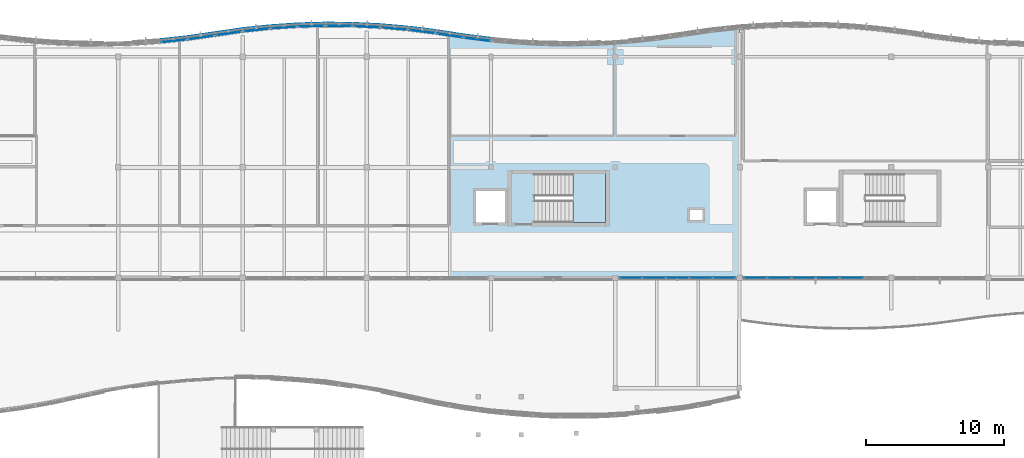
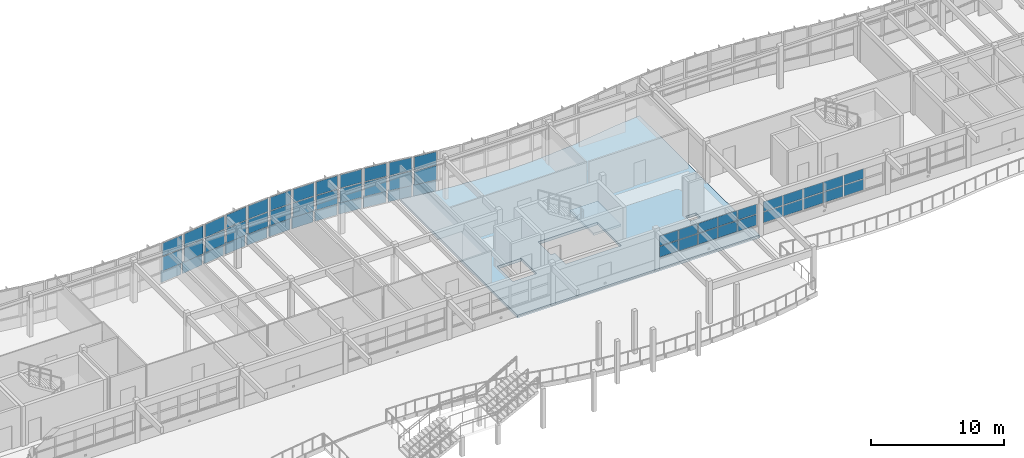
# One storey, part 33 of 63: 56 plates, 2 slabs, 15 elements without a shape of their own.
"""IFC4 building model written with IfcOpenShell, lengths in metres."""

import ifcopenshell
import ifcopenshell.guid

model = None  # the IFC model being written
_history = None  # IfcOwnerHistory: only IFC2X3 demands one
_inside = {}  # id of a spatial element -> (the spatial element, [elements in it])
_under = {}  # id of a project, library or spatial element -> (it, [spatial elements below it])
_declared = {}  # id of a project -> (the project, [libraries it declares])
_typed = {}  # id of a type object -> (the type object, [elements of that type])
_made_of = {}  # id of a material, layer set ... -> (it, [elements and type objects made of it])


def new_model(schema):
    """Start an empty IFC model of exactly this schema.

    Asked for "IFC4X3", IfcOpenShell would pick the latest addendum, in which some entities
    have other attributes; the version numbers below select the first issue.
    IFC2X3 requires an IfcOwnerHistory on every rooted entity: one is made here for all.
    """
    global model, _history
    if schema == "IFC4X3":
        model = ifcopenshell.file(schema_version=(4, 3, 0, 0))
    else:
        model = ifcopenshell.file(schema=schema)
    _inside.clear()
    _under.clear()
    _declared.clear()
    _typed.clear()
    _made_of.clear()
    _history = None
    if model.schema == "IFC2X3":
        org = make("IfcOrganization", Name="unknown")
        user = make(
            "IfcPersonAndOrganization",
            ThePerson=make("IfcPerson", FamilyName="unknown"),
            TheOrganization=org,
        )
        app = make(
            "IfcApplication",
            ApplicationDeveloper=org,
            Version="unknown",
            ApplicationFullName="unknown",
            ApplicationIdentifier="unknown",
        )
        _history = make(
            "IfcOwnerHistory",
            OwningUser=user,
            OwningApplication=app,
            ChangeAction="ADDED",
            CreationDate=0,
        )
    return model


def make(cls, **values):
    """One entity of the class cls with the attributes given. An attribute that is None is left unset."""
    return model.create_entity(
        cls, **{name: value for name, value in values.items() if value is not None}
    )


def rooted(cls, **values):
    """An entity with a GlobalId (a new one), such as an element, a storey or a relation."""
    return make(cls, GlobalId=ifcopenshell.guid.new(), OwnerHistory=_history, **values)


def si_unit(unit_type, name, prefix=None):
    """IfcSIUnit, for example si_unit("LENGTHUNIT", "METRE", prefix="MILLI")."""
    return make("IfcSIUnit", UnitType=unit_type, Prefix=prefix, Name=name)


def assignment(units):
    """IfcUnitAssignment: the units of a project."""
    return None if units is None else make("IfcUnitAssignment", Units=units)


def point(xyz):
    """IfcCartesianPoint."""
    return None if xyz is None else make("IfcCartesianPoint", Coordinates=xyz)


def direction(xyz):
    """IfcDirection."""
    return None if xyz is None else make("IfcDirection", DirectionRatios=xyz)


def frame(location, z_axis=None, x_axis=None):
    """IfcAxis2Placement3D, a coordinate frame: its origin and axes. An axis left out is left unset."""
    return make(
        "IfcAxis2Placement3D",
        Location=point(location),
        Axis=direction(z_axis),
        RefDirection=direction(x_axis),
    )


def frame_2d(location, x_axis=None):
    """IfcAxis2Placement2D, a coordinate frame in the plane: its origin and x axis."""
    return make(
        "IfcAxis2Placement2D", Location=point(location), RefDirection=direction(x_axis)
    )


def origin():
    """The frame at (0, 0, 0) with its axes left unset."""
    return frame((0.0, 0.0, 0.0))


def origin_2d():
    """The frame at (0, 0) in the plane with its x axis left unset."""
    return frame_2d((0.0, 0.0))


def place(relative_to, where):
    """IfcLocalPlacement: puts the frame where relative to a parent placement (None: the world)."""
    return make(
        "IfcLocalPlacement", PlacementRelTo=relative_to, RelativePlacement=where
    )


def context(
    kind, dimensions, precision=None, world=None, true_north=None, identifier=None
):
    """IfcGeometricRepresentationContext, for example the 3D "Model" context."""
    return make(
        "IfcGeometricRepresentationContext",
        ContextIdentifier=identifier,
        ContextType=kind,
        CoordinateSpaceDimension=dimensions,
        Precision=precision,
        WorldCoordinateSystem=world,
        TrueNorth=true_north,
    )


def subcontext(parent, identifier, kind, view, scale=None):
    """IfcGeometricRepresentationSubContext, for example "Body" below "Model"."""
    return make(
        "IfcGeometricRepresentationSubContext",
        ContextIdentifier=identifier,
        ContextType=kind,
        ParentContext=parent,
        TargetScale=scale,
        TargetView=view,
    )


def project(units=None, contexts=None):
    """IfcProject with its units and contexts."""
    return rooted(
        "IfcProject",
        Name="project",
        RepresentationContexts=contexts,
        UnitsInContext=assignment(units),
    )


def spatial(cls, under=None, at=None, **own):
    """A site, building, storey or space (cls), placed at a placement, below another one or the project."""
    s = rooted(cls, ObjectPlacement=at, **own)
    if under is not None:
        _under.setdefault(under.id(), (under, []))[1].append(s)
    return s


def polyline(points):
    """IfcPolyline through the points."""
    return make("IfcPolyline", Points=[point(p) for p in points])


def profile(cls, at=None, kind="AREA", **sizes):
    """A parametric profile (cls). Its sizes go by their IFC names, for example OverallWidth=200.0."""
    return make(cls, ProfileType=kind, Position=at, **sizes)


def rectangle(**sizes):
    """IfcRectangleProfileDef."""
    return profile("IfcRectangleProfileDef", **sizes)


def outline(outer, holes=None, kind="AREA"):
    """IfcArbitraryClosedProfileDef: a profile drawn as a closed curve; with holes, ...WithVoids."""
    if holes is None:
        return make("IfcArbitraryClosedProfileDef", ProfileType=kind, OuterCurve=outer)
    return make(
        "IfcArbitraryProfileDefWithVoids",
        ProfileType=kind,
        OuterCurve=outer,
        InnerCurves=holes,
    )


def extrude(swept, where, along, depth):
    """IfcExtrudedAreaSolid: the profile swept, set in the frame where, extruded along a direction by depth."""
    return make(
        "IfcExtrudedAreaSolid",
        SweptArea=swept,
        Position=where,
        ExtrudedDirection=direction(along),
        Depth=depth,
    )


def shape(context_of_items, identifier, shape_type, items):
    """IfcShapeRepresentation: the items that make up one representation, for example the "Body"."""
    return make(
        "IfcShapeRepresentation",
        ContextOfItems=context_of_items,
        RepresentationIdentifier=identifier,
        RepresentationType=shape_type,
        Items=items,
    )


def material(Name=None, Category=None):
    """IfcMaterial."""
    return make("IfcMaterial", Name=Name, Category=Category)


def layer(
    of_material, thickness, ventilated=None, Name=None, Category=None, Priority=None
):
    """IfcMaterialLayer: one layer of a wall or slab, of a material (None: an air gap)."""
    return make(
        "IfcMaterialLayer",
        Material=of_material,
        LayerThickness=thickness,
        IsVentilated=ventilated,
        Name=Name,
        Category=Category,
        Priority=Priority,
    )


def layer_set(layers, Name=None):
    """IfcMaterialLayerSet."""
    return make("IfcMaterialLayerSet", MaterialLayers=layers, LayerSetName=Name)


def made_of(thing, what):
    """Note that an element or type object is made of a material, layer set ...; save() writes the relation."""
    if what is not None:
        _made_of.setdefault(what.id(), (what, []))[1].append(thing)
    return thing


def type_object(cls, material=None, **own):
    """A type object (cls), such as IfcWallType, which elements share."""
    return made_of(rooted(cls, **own), material)


def element(
    cls,
    number,
    at=None,
    inside=None,
    cuts=None,
    type_object=None,
    material=None,
    context=None,
    identifier="Body",
    shape_type=None,
    held_by="IfcProductDefinitionShape",
    body=None,
    shapes=None,
    **own,
):
    """One element of the class cls, such as IfcWall. Its Tag is "e" and its number.

    at: its placement. inside: the storey or other place that contains it. cuts: it is an
    opening in that element (IfcRelVoidsElement). A single representation is given by context,
    identifier, shape_type and body (its items); several are given by shapes. held_by: the class
    of the entity that holds the representations. save() writes the other relations.
    """
    e = rooted(cls, Tag="e%d" % number, ObjectPlacement=at, **own)
    if body is not None:
        shapes = [shape(context, identifier, shape_type, body)]
    if shapes is not None:
        e.Representation = make(held_by, Representations=shapes)
    if inside is not None:
        _inside.setdefault(inside.id(), (inside, []))[1].append(e)
    if cuts is not None:
        rooted(
            "IfcRelVoidsElement", RelatingBuildingElement=cuts, RelatedOpeningElement=e
        )
    if type_object is not None:
        _typed.setdefault(type_object.id(), (type_object, []))[1].append(e)
    return made_of(e, material)


def aggregate(whole, parts):
    """IfcRelAggregates: a whole, such as a stair, and the parts it consists of."""
    return rooted("IfcRelAggregates", RelatingObject=whole, RelatedObjects=parts)


def save(model, path):
    """Write the relations noted so far, then the file.

    IfcRelAggregates (storeys below a building ...), IfcRelContainedInSpatialStructure (elements
    in a storey), IfcRelDefinesByType, IfcRelAssociatesMaterial and IfcRelDeclares: one each for
    every whole, place, type object, material and project.
    """
    for whole, parts in _under.values():
        aggregate(whole, parts)
    for where, things in _inside.values():
        rooted(
            "IfcRelContainedInSpatialStructure",
            RelatedElements=things,
            RelatingStructure=where,
        )
    for kind, things in _typed.values():
        rooted("IfcRelDefinesByType", RelatedObjects=things, RelatingType=kind)
    for what, things in _made_of.values():
        rooted("IfcRelAssociatesMaterial", RelatedObjects=things, RelatingMaterial=what)
    for by, libraries in _declared.values():
        rooted("IfcRelDeclares", RelatingContext=by, RelatedDefinitions=libraries)
    model.write(path)


model = new_model("IFC4")

# Units and contexts
model_context = context("Model", 3, precision=1e-05, world=origin(), true_north=direction((0.0, 1.0)))
body_context = subcontext(model_context, "Body", "Model", "MODEL_VIEW")
ifc_project = project(units=[si_unit("LENGTHUNIT", "METRE"), si_unit("AREAUNIT", "SQUARE_METRE"), si_unit("VOLUMEUNIT", "CUBIC_METRE"), si_unit("PLANEANGLEUNIT", "RADIAN"), si_unit("MASSUNIT", "GRAM", prefix="KILO")], contexts=[model_context])

# Site, building, storey
site_placement = place(None, origin())
site = spatial("IfcSite", under=ifc_project, at=site_placement, CompositionType="ELEMENT")
building_placement = place(site_placement, origin())
building = spatial("IfcBuilding", under=site, at=building_placement, Name="Tonlespit Floodbar School", CompositionType="ELEMENT")
storey_placement = place(building_placement, frame((0.0, 0.0, 8.39990234375)))
storey = spatial("IfcBuildingStorey", under=building, at=storey_placement, Name="L02", CompositionType="ELEMENT", Elevation=8.39990234375)

# Curtain wall, plates
ifc_material_1 = material(Name="Anodised Aluminium", Category="aluminium")
ifc_layer_1 = layer(ifc_material_1, 0.159912109375)
ifc_layer_set_1 = layer_set([ifc_layer_1], Name="Anodised Aluminium")
curtain_wall_type_1 = type_object("IfcCurtainWallType", Name="CurtainWall_1950x2700", PredefinedType="NOTDEFINED", material=ifc_layer_set_1)
curtain_wall_1_placement = place(storey_placement, origin())
curtain_wall_1 = element("IfcCurtainWall", 1, at=curtain_wall_1_placement, inside=storey, type_object=curtain_wall_type_1, Name="L02 unitised curtain wall 0097", PredefinedType="NOTDEFINED")
ifc_material_2 = material(Name="Laminated Low-E Glass", Category="glass")
ifc_layer_2 = layer(ifc_material_2, 0.028076171875)
ifc_layer_set_2 = layer_set([ifc_layer_2], Name="Laminated Low-E Glass")
plate_type_1 = type_object("IfcPlateType", Name="CW_Panel_Glaz_28", PredefinedType="CURTAIN_PANEL", material=ifc_layer_set_2)
plate_1_placement = place(storey_placement, frame((75.0, 121.152099609375, 1.01513671875), z_axis=(0.0, 0.0, 1.0), x_axis=(0.994388797288, 0.105787143968, 0.0)))
plate_1 = element("IfcPlate", 2, at=plate_1_placement, type_object=plate_type_1, Name="CW-04 panel 1.1", PredefinedType="CURTAIN_PANEL", context=body_context, shape_type="SweptSolid", body=[
    extrude(rectangle(XDim=1.80126953125, YDim=0.028076171875, at=origin_2d()), origin(), (0.0, 0.0, 1.0), 1.306396484375),
])
plate_2_placement = place(storey_placement, frame((75.0, 121.152099609375, 2.38671875), z_axis=(0.0, 0.0, 1.0), x_axis=(0.994388797288, 0.105787143968, 0.0)))
plate_2 = element("IfcPlate", 3, at=plate_2_placement, type_object=plate_type_1, Name="CW-04 panel 1.2", PredefinedType="CURTAIN_PANEL", context=body_context, shape_type="SweptSolid", body=[
    extrude(rectangle(XDim=1.80126953125, YDim=0.028076171875, at=origin_2d()), origin(), (0.0, 0.0, 1.0), 1.198486328125),
])
aggregate(curtain_wall_1, [plate_1, plate_2])

ifc_layer_3 = layer(ifc_material_1, 0.159912109375)
ifc_layer_set_3 = layer_set([ifc_layer_3], Name="Anodised Aluminium")
curtain_wall_type_2 = type_object("IfcCurtainWallType", Name="CurtainWall_1900x2700", PredefinedType="NOTDEFINED", material=ifc_layer_set_3)
curtain_wall_2_placement = place(storey_placement, origin())
curtain_wall_2 = element("IfcCurtainWall", 4, at=curtain_wall_2_placement, inside=storey, type_object=curtain_wall_type_2, Name="L02 unitised curtain wall 0101", PredefinedType="NOTDEFINED")
plate_3_placement = place(storey_placement, frame((83.0, 122.121826171875, 1.01513671875), z_axis=(0.0, 0.0, 1.0), x_axis=(0.99773010165, 0.067339767311, 0.0)))
plate_3 = element("IfcPlate", 5, at=plate_3_placement, type_object=plate_type_1, Name="CW-05 panel 1.1", PredefinedType="CURTAIN_PANEL", context=body_context, shape_type="SweptSolid", body=[
    extrude(rectangle(XDim=1.794677734375, YDim=0.028076171875, at=origin_2d()), origin(), (0.0, 0.0, 1.0), 1.306396484375),
])
plate_4_placement = place(storey_placement, frame((83.0, 122.121826171875, 2.38671875), z_axis=(0.0, 0.0, 1.0), x_axis=(0.99773010165, 0.067339767311, 0.0)))
plate_4 = element("IfcPlate", 6, at=plate_4_placement, type_object=plate_type_1, Name="CW-05 panel 1.2", PredefinedType="CURTAIN_PANEL", context=body_context, shape_type="SweptSolid", body=[
    extrude(rectangle(XDim=1.794677734375, YDim=0.028076171875, at=origin_2d()), origin(), (0.0, 0.0, 1.0), 1.198486328125),
])
aggregate(curtain_wall_2, [plate_3, plate_4])

curtain_wall_3_placement = place(storey_placement, origin())
curtain_wall_3 = element("IfcCurtainWall", 7, at=curtain_wall_3_placement, inside=storey, type_object=curtain_wall_type_1, Name="L02 unitised curtain wall 0105", PredefinedType="NOTDEFINED")
plate_5_placement = place(storey_placement, frame((91.0, 122.044677734375, 1.01513671875), z_axis=(0.0, 0.0, 1.0), x_axis=(0.996249148412, -0.086531117454, 0.0)))
plate_5 = element("IfcPlate", 8, at=plate_5_placement, type_object=plate_type_1, Name="CW-04 panel 1.1", PredefinedType="CURTAIN_PANEL", context=body_context, shape_type="SweptSolid", body=[
    extrude(rectangle(XDim=1.797607421875, YDim=0.028076171875, at=origin_2d()), origin(), (0.0, 0.0, 1.0), 1.306396484375),
])
plate_6_placement = place(storey_placement, frame((91.0, 122.044677734375, 2.38671875), z_axis=(0.0, 0.0, 1.0), x_axis=(0.996249148412, -0.086531117454, 0.0)))
plate_6 = element("IfcPlate", 9, at=plate_6_placement, type_object=plate_type_1, Name="CW-04 panel 1.2", PredefinedType="CURTAIN_PANEL", context=body_context, shape_type="SweptSolid", body=[
    extrude(rectangle(XDim=1.797607421875, YDim=0.028076171875, at=origin_2d()), origin(), (0.0, 0.0, 1.0), 1.198486328125),
])
aggregate(curtain_wall_3, [plate_5, plate_6])

ifc_layer_4 = layer(ifc_material_1, 0.159912109375)
ifc_layer_set_4 = layer_set([ifc_layer_4], Name="Anodised Aluminium")
curtain_wall_type_3 = type_object("IfcCurtainWallType", Name="CurtainWall_10500x2050", PredefinedType="NOTDEFINED", material=ifc_layer_set_4)
curtain_wall_4_placement = place(storey_placement, origin())
curtain_wall_4 = element("IfcCurtainWall", 10, at=curtain_wall_4_placement, inside=storey, type_object=curtain_wall_type_3, Name="L02 unitised curtain wall 0445", PredefinedType="NOTDEFINED")
plate_7_placement = place(storey_placement, frame((124.1298828125, 104.0, 1.01513671875), z_axis=(0.0, 0.0, 1.0), x_axis=(-1.0, 0.0, 0.0)))
plate_7 = element("IfcPlate", 11, at=plate_7_placement, type_object=plate_type_1, Name="CW-68 panel 2.1", PredefinedType="CURTAIN_PANEL", context=body_context, shape_type="SweptSolid", body=[
    extrude(rectangle(XDim=1.688232421875, YDim=0.028076171875, at=origin_2d()), origin(), (0.0, 0.0, 1.0), 0.97119140625),
])
plate_8_placement = place(storey_placement, frame((124.1298828125, 104.0, 2.05126953125), z_axis=(0.0, 0.0, 1.0), x_axis=(-1.0, 0.0, 0.0)))
plate_8 = element("IfcPlate", 12, at=plate_8_placement, type_object=plate_type_1, Name="CW-68 panel 2.2", PredefinedType="CURTAIN_PANEL", context=body_context, shape_type="SweptSolid", body=[
    extrude(rectangle(XDim=1.688232421875, YDim=0.028076171875, at=origin_2d()), origin(), (0.0, 0.0, 1.0), 0.888916015625),
])
plate_9_placement = place(storey_placement, frame((122.376708984375, 104.0, 1.01513671875), z_axis=(0.0, 0.0, 1.0), x_axis=(-1.0, 0.0, 0.0)))
plate_9 = element("IfcPlate", 13, at=plate_9_placement, type_object=plate_type_1, Name="CW-68 panel 3.1", PredefinedType="CURTAIN_PANEL", context=body_context, shape_type="SweptSolid", body=[
    extrude(rectangle(XDim=1.688232421875, YDim=0.028076171875, at=origin_2d()), origin(), (0.0, 0.0, 1.0), 0.97119140625),
])
plate_10_placement = place(storey_placement, frame((122.376708984375, 104.0, 2.05126953125), z_axis=(0.0, 0.0, 1.0), x_axis=(-1.0, 0.0, 0.0)))
plate_10 = element("IfcPlate", 14, at=plate_10_placement, type_object=plate_type_1, Name="CW-68 panel 3.2", PredefinedType="CURTAIN_PANEL", context=body_context, shape_type="SweptSolid", body=[
    extrude(rectangle(XDim=1.688232421875, YDim=0.028076171875, at=origin_2d()), origin(), (0.0, 0.0, 1.0), 0.888916015625),
])
plate_11_placement = place(storey_placement, frame((120.623291015625, 104.0, 1.01513671875), z_axis=(0.0, 0.0, 1.0), x_axis=(-1.0, 0.0, 0.0)))
plate_11 = element("IfcPlate", 15, at=plate_11_placement, type_object=plate_type_1, Name="CW-68 panel 4.1", PredefinedType="CURTAIN_PANEL", context=body_context, shape_type="SweptSolid", body=[
    extrude(rectangle(XDim=1.688232421875, YDim=0.028076171875, at=origin_2d()), origin(), (0.0, 0.0, 1.0), 0.97119140625),
])
plate_12_placement = place(storey_placement, frame((120.623291015625, 104.0, 2.05126953125), z_axis=(0.0, 0.0, 1.0), x_axis=(-1.0, 0.0, 0.0)))
plate_12 = element("IfcPlate", 16, at=plate_12_placement, type_object=plate_type_1, Name="CW-68 panel 4.2", PredefinedType="CURTAIN_PANEL", context=body_context, shape_type="SweptSolid", body=[
    extrude(rectangle(XDim=1.688232421875, YDim=0.028076171875, at=origin_2d()), origin(), (0.0, 0.0, 1.0), 0.888916015625),
])
plate_13_placement = place(storey_placement, frame((118.8701171875, 104.0, 1.01513671875), z_axis=(0.0, 0.0, 1.0), x_axis=(-1.0, 0.0, 0.0)))
plate_13 = element("IfcPlate", 17, at=plate_13_placement, type_object=plate_type_1, Name="CW-68 panel 5.1", PredefinedType="CURTAIN_PANEL", context=body_context, shape_type="SweptSolid", body=[
    extrude(rectangle(XDim=1.688232421875, YDim=0.028076171875, at=origin_2d()), origin(), (0.0, 0.0, 1.0), 0.97119140625),
])
plate_14_placement = place(storey_placement, frame((118.8701171875, 104.0, 2.05126953125), z_axis=(0.0, 0.0, 1.0), x_axis=(-1.0, 0.0, 0.0)))
plate_14 = element("IfcPlate", 18, at=plate_14_placement, type_object=plate_type_1, Name="CW-68 panel 5.2", PredefinedType="CURTAIN_PANEL", context=body_context, shape_type="SweptSolid", body=[
    extrude(rectangle(XDim=1.688232421875, YDim=0.028076171875, at=origin_2d()), origin(), (0.0, 0.0, 1.0), 0.888916015625),
])
plate_15_placement = place(storey_placement, frame((117.1328125, 104.0, 1.01513671875), z_axis=(0.0, 0.0, 1.0), x_axis=(-1.0, 0.0, 0.0)))
plate_15 = element("IfcPlate", 19, at=plate_15_placement, type_object=plate_type_1, Name="CW-68 panel 6.1", PredefinedType="CURTAIN_PANEL", context=body_context, shape_type="SweptSolid", body=[
    extrude(rectangle(XDim=1.65576171875, YDim=0.028076171875, at=origin_2d()), origin(), (0.0, 0.0, 1.0), 0.97119140625),
])
plate_16_placement = place(storey_placement, frame((117.1328125, 104.0, 2.05126953125), z_axis=(0.0, 0.0, 1.0), x_axis=(-1.0, 0.0, 0.0)))
plate_16 = element("IfcPlate", 20, at=plate_16_placement, type_object=plate_type_1, Name="CW-68 panel 6.2", PredefinedType="CURTAIN_PANEL", context=body_context, shape_type="SweptSolid", body=[
    extrude(rectangle(XDim=1.65576171875, YDim=0.028076171875, at=origin_2d()), origin(), (0.0, 0.0, 1.0), 0.888916015625),
])
aggregate(curtain_wall_4, [plate_7, plate_8, plate_9, plate_10, plate_11, plate_12, plate_13, plate_14, plate_15, plate_16])

curtain_wall_5_placement = place(storey_placement, origin())
curtain_wall_5 = element("IfcCurtainWall", 21, at=curtain_wall_5_placement, inside=storey, type_object=curtain_wall_type_1, Name="L02 unitised curtain wall 0098", PredefinedType="NOTDEFINED")
ifc_layer_5 = layer(ifc_material_2, 0.031982421875)
ifc_layer_set_5 = layer_set([ifc_layer_5], Name="Laminated Low-E Glass")
plate_type_2 = type_object("IfcPlateType", Name="CW_Panel_Glaz_32", PredefinedType="CURTAIN_PANEL", material=ifc_layer_set_5)
plate_17_placement = place(storey_placement, frame((77.0, 121.404296875, 1.01513671875), z_axis=(0.0, 0.0, 1.0), x_axis=(0.989541561858, 0.144248041079, 0.0)))
plate_17 = element("IfcPlate", 22, at=plate_17_placement, type_object=plate_type_2, Name="CW-04 panel 1.1", PredefinedType="CURTAIN_PANEL", context=body_context, shape_type="SweptSolid", body=[
    extrude(rectangle(XDim=1.81103515625, YDim=0.031982421875, at=origin_2d()), origin(), (0.0, 0.0, 1.0), 1.306396484375),
])
plate_18_placement = place(storey_placement, frame((77.0, 121.404296875, 2.38671875), z_axis=(0.0, 0.0, 1.0), x_axis=(0.989541561858, 0.144248041079, 0.0)))
plate_18 = element("IfcPlate", 23, at=plate_18_placement, type_object=plate_type_2, Name="CW-04 panel 1.2", PredefinedType="CURTAIN_PANEL", context=body_context, shape_type="SweptSolid", body=[
    extrude(rectangle(XDim=1.81103515625, YDim=0.031982421875, at=origin_2d()), origin(), (0.0, 0.0, 1.0), 1.198486328125),
])
aggregate(curtain_wall_5, [plate_17, plate_18])

curtain_wall_6_placement = place(storey_placement, origin())
curtain_wall_6 = element("IfcCurtainWall", 24, at=curtain_wall_6_placement, inside=storey, type_object=curtain_wall_type_2, Name="L02 unitised curtain wall 0102", PredefinedType="NOTDEFINED")
plate_19_placement = place(storey_placement, frame((85.0, 122.21826171875, 1.01513671875), z_axis=(0.0, 0.0, 1.0), x_axis=(0.999585477883, 0.028790144226, 0.0)))
plate_19 = element("IfcPlate", 25, at=plate_19_placement, type_object=plate_type_2, Name="CW-05 panel 1.1", PredefinedType="CURTAIN_PANEL", context=body_context, shape_type="SweptSolid", body=[
    extrude(rectangle(XDim=1.790771484375, YDim=0.031982421875, at=origin_2d()), origin(), (0.0, 0.0, 1.0), 1.306396484375),
])
plate_20_placement = place(storey_placement, frame((85.0, 122.21826171875, 2.38671875), z_axis=(0.0, 0.0, 1.0), x_axis=(0.999585477883, 0.028790144226, 0.0)))
plate_20 = element("IfcPlate", 26, at=plate_20_placement, type_object=plate_type_2, Name="CW-05 panel 1.2", PredefinedType="CURTAIN_PANEL", context=body_context, shape_type="SweptSolid", body=[
    extrude(rectangle(XDim=1.790771484375, YDim=0.031982421875, at=origin_2d()), origin(), (0.0, 0.0, 1.0), 1.198486328125),
])
aggregate(curtain_wall_6, [plate_19, plate_20])

curtain_wall_7_placement = place(storey_placement, origin())
curtain_wall_7 = element("IfcCurtainWall", 27, at=curtain_wall_7_placement, inside=storey, type_object=curtain_wall_type_1, Name="L02 unitised curtain wall 0106", PredefinedType="NOTDEFINED")
plate_21_placement = place(storey_placement, frame((93.0, 121.831787109375, 1.01513671875), z_axis=(0.0, 0.0, 1.0), x_axis=(0.992155002499, -0.125013803299, 0.0)))
plate_21 = element("IfcPlate", 28, at=plate_21_placement, type_object=plate_type_2, Name="CW-04 panel 1.1", PredefinedType="CURTAIN_PANEL", context=body_context, shape_type="SweptSolid", body=[
    extrude(rectangle(XDim=1.805908203125, YDim=0.031982421875, at=origin_2d()), origin(), (0.0, 0.0, 1.0), 1.306396484375),
])
plate_22_placement = place(storey_placement, frame((93.0, 121.831787109375, 2.38671875), z_axis=(0.0, 0.0, 1.0), x_axis=(0.992155002499, -0.125013803299, 0.0)))
plate_22 = element("IfcPlate", 29, at=plate_22_placement, type_object=plate_type_2, Name="CW-04 panel 1.2", PredefinedType="CURTAIN_PANEL", context=body_context, shape_type="SweptSolid", body=[
    extrude(rectangle(XDim=1.805908203125, YDim=0.031982421875, at=origin_2d()), origin(), (0.0, 0.0, 1.0), 1.198486328125),
])
aggregate(curtain_wall_7, [plate_21, plate_22])

ifc_layer_6 = layer(ifc_material_1, 0.159912109375)
ifc_layer_set_6 = layer_set([ifc_layer_6], Name="Anodised Aluminium")
curtain_wall_type_4 = type_object("IfcCurtainWallType", Name="CurtainWall_8500x2050", PredefinedType="NOTDEFINED", material=ifc_layer_set_6)
curtain_wall_8_placement = place(storey_placement, origin())
curtain_wall_8 = element("IfcCurtainWall", 30, at=curtain_wall_8_placement, inside=storey, type_object=curtain_wall_type_4, Name="L02 unitised curtain wall 0118", PredefinedType="NOTDEFINED")
plate_23_placement = place(storey_placement, frame((114.891845703125, 104.0, 1.01513671875), z_axis=(0.0, 0.0, 1.0), x_axis=(-1.0, 0.0, 0.0)))
plate_23 = element("IfcPlate", 31, at=plate_23_placement, type_object=plate_type_2, Name="CW-07 panel 1.1", PredefinedType="CURTAIN_PANEL", context=body_context, shape_type="SweptSolid", body=[
    extrude(rectangle(XDim=1.6064453125, YDim=0.031982421875, at=origin_2d()), origin(), (0.0, 0.0, 1.0), 0.97265625),
])
plate_24_placement = place(storey_placement, frame((114.891845703125, 104.0, 2.052734375), z_axis=(0.0, 0.0, 1.0), x_axis=(-1.0, 0.0, 0.0)))
plate_24 = element("IfcPlate", 32, at=plate_24_placement, type_object=plate_type_2, Name="CW-07 panel 1.2", PredefinedType="CURTAIN_PANEL", context=body_context, shape_type="SweptSolid", body=[
    extrude(rectangle(XDim=1.6064453125, YDim=0.031982421875, at=origin_2d()), origin(), (0.0, 0.0, 1.0), 0.890380859375),
])
plate_25_placement = place(storey_placement, frame((113.2041015625, 104.0, 1.01513671875), z_axis=(0.0, 0.0, 1.0), x_axis=(-1.0, 0.0, 0.0)))
plate_25 = element("IfcPlate", 33, at=plate_25_placement, type_object=plate_type_2, Name="CW-07 panel 2.1", PredefinedType="CURTAIN_PANEL", context=body_context, shape_type="SweptSolid", body=[
    extrude(rectangle(XDim=1.638916015625, YDim=0.031982421875, at=origin_2d()), origin(), (0.0, 0.0, 1.0), 0.97265625),
])
plate_26_placement = place(storey_placement, frame((113.2041015625, 104.0, 2.052734375), z_axis=(0.0, 0.0, 1.0), x_axis=(-1.0, 0.0, 0.0)))
plate_26 = element("IfcPlate", 34, at=plate_26_placement, type_object=plate_type_2, Name="CW-07 panel 2.2", PredefinedType="CURTAIN_PANEL", context=body_context, shape_type="SweptSolid", body=[
    extrude(rectangle(XDim=1.638916015625, YDim=0.031982421875, at=origin_2d()), origin(), (0.0, 0.0, 1.0), 0.890380859375),
])
plate_27_placement = place(storey_placement, frame((111.5, 104.0, 1.01513671875), z_axis=(0.0, 0.0, 1.0), x_axis=(-1.0, 0.0, 0.0)))
plate_27 = element("IfcPlate", 35, at=plate_27_placement, type_object=plate_type_2, Name="CW-07 panel 3.1", PredefinedType="CURTAIN_PANEL", context=body_context, shape_type="SweptSolid", body=[
    extrude(rectangle(XDim=1.638916015625, YDim=0.031982421875, at=origin_2d()), origin(), (0.0, 0.0, 1.0), 0.97265625),
])
plate_28_placement = place(storey_placement, frame((111.5, 104.0, 2.052734375), z_axis=(0.0, 0.0, 1.0), x_axis=(-1.0, 0.0, 0.0)))
plate_28 = element("IfcPlate", 36, at=plate_28_placement, type_object=plate_type_2, Name="CW-07 panel 3.2", PredefinedType="CURTAIN_PANEL", context=body_context, shape_type="SweptSolid", body=[
    extrude(rectangle(XDim=1.638916015625, YDim=0.031982421875, at=origin_2d()), origin(), (0.0, 0.0, 1.0), 0.890380859375),
])
plate_29_placement = place(storey_placement, frame((109.7958984375, 104.0, 1.01513671875), z_axis=(0.0, 0.0, 1.0), x_axis=(-1.0, 0.0, 0.0)))
plate_29 = element("IfcPlate", 37, at=plate_29_placement, type_object=plate_type_2, Name="CW-07 panel 4.1", PredefinedType="CURTAIN_PANEL", context=body_context, shape_type="SweptSolid", body=[
    extrude(rectangle(XDim=1.638916015625, YDim=0.031982421875, at=origin_2d()), origin(), (0.0, 0.0, 1.0), 0.97265625),
])
plate_30_placement = place(storey_placement, frame((109.7958984375, 104.0, 2.052734375), z_axis=(0.0, 0.0, 1.0), x_axis=(-1.0, 0.0, 0.0)))
plate_30 = element("IfcPlate", 38, at=plate_30_placement, type_object=plate_type_2, Name="CW-07 panel 4.2", PredefinedType="CURTAIN_PANEL", context=body_context, shape_type="SweptSolid", body=[
    extrude(rectangle(XDim=1.638916015625, YDim=0.031982421875, at=origin_2d()), origin(), (0.0, 0.0, 1.0), 0.890380859375),
])
plate_31_placement = place(storey_placement, frame((108.108154296875, 104.0, 1.01513671875), z_axis=(0.0, 0.0, 1.0), x_axis=(-1.0, 0.0, 0.0)))
plate_31 = element("IfcPlate", 39, at=plate_31_placement, type_object=plate_type_2, Name="CW-07 panel 5.1", PredefinedType="CURTAIN_PANEL", context=body_context, shape_type="SweptSolid", body=[
    extrude(rectangle(XDim=1.6064453125, YDim=0.031982421875, at=origin_2d()), origin(), (0.0, 0.0, 1.0), 0.97265625),
])
plate_32_placement = place(storey_placement, frame((108.108154296875, 104.0, 2.052734375), z_axis=(0.0, 0.0, 1.0), x_axis=(-1.0, 0.0, 0.0)))
plate_32 = element("IfcPlate", 40, at=plate_32_placement, type_object=plate_type_2, Name="CW-07 panel 5.2", PredefinedType="CURTAIN_PANEL", context=body_context, shape_type="SweptSolid", body=[
    extrude(rectangle(XDim=1.6064453125, YDim=0.031982421875, at=origin_2d()), origin(), (0.0, 0.0, 1.0), 0.890380859375),
])
aggregate(curtain_wall_8, [plate_23, plate_24, plate_25, plate_26, plate_27, plate_28, plate_29, plate_30, plate_31, plate_32])

curtain_wall_9_placement = place(storey_placement, origin())
curtain_wall_9 = element("IfcCurtainWall", 41, at=curtain_wall_9_placement, inside=storey, type_object=curtain_wall_type_1, Name="L02 unitised curtain wall 0099", PredefinedType="NOTDEFINED")
ifc_layer_7 = layer(ifc_material_2, 0.035888671875)
ifc_layer_set_7 = layer_set([ifc_layer_7], Name="Laminated Low-E Glass")
plate_type_3 = type_object("IfcPlateType", Name="CW_Panel_Glaz_36", PredefinedType="CURTAIN_PANEL", material=ifc_layer_set_7)
plate_33_placement = place(storey_placement, frame((79.0, 121.69580078125, 1.01513671875), z_axis=(0.0, 0.0, 1.0), x_axis=(0.989541561858, 0.144248041079, 0.0)))
plate_33 = element("IfcPlate", 42, at=plate_33_placement, type_object=plate_type_3, Name="CW-04 panel 1.1", PredefinedType="CURTAIN_PANEL", context=body_context, shape_type="SweptSolid", body=[
    extrude(rectangle(XDim=1.81103515625, YDim=0.035888671875, at=origin_2d()), origin(), (0.0, 0.0, 1.0), 1.306396484375),
])
plate_34_placement = place(storey_placement, frame((79.0, 121.69580078125, 2.38671875), z_axis=(0.0, 0.0, 1.0), x_axis=(0.989541561858, 0.144248041079, 0.0)))
plate_34 = element("IfcPlate", 43, at=plate_34_placement, type_object=plate_type_3, Name="CW-04 panel 1.2", PredefinedType="CURTAIN_PANEL", context=body_context, shape_type="SweptSolid", body=[
    extrude(rectangle(XDim=1.81103515625, YDim=0.035888671875, at=origin_2d()), origin(), (0.0, 0.0, 1.0), 1.198486328125),
])
aggregate(curtain_wall_9, [plate_33, plate_34])

curtain_wall_10_placement = place(storey_placement, origin())
curtain_wall_10 = element("IfcCurtainWall", 44, at=curtain_wall_10_placement, inside=storey, type_object=curtain_wall_type_2, Name="L02 unitised curtain wall 0103", PredefinedType="NOTDEFINED")
plate_35_placement = place(storey_placement, frame((87.0, 122.2373046875, 1.01513671875), z_axis=(0.0, 0.0, 1.0), x_axis=(0.999954083024, -0.009582893292, 0.0)))
plate_35 = element("IfcPlate", 45, at=plate_35_placement, type_object=plate_type_3, Name="CW-05 panel 1.1", PredefinedType="CURTAIN_PANEL", context=body_context, shape_type="SweptSolid", body=[
    extrude(rectangle(XDim=1.7900390625, YDim=0.035888671875, at=origin_2d()), origin(), (0.0, 0.0, 1.0), 1.306396484375),
])
plate_36_placement = place(storey_placement, frame((87.0, 122.2373046875, 2.38671875), z_axis=(0.0, 0.0, 1.0), x_axis=(0.999954083024, -0.009582893292, 0.0)))
plate_36 = element("IfcPlate", 46, at=plate_36_placement, type_object=plate_type_3, Name="CW-05 panel 1.2", PredefinedType="CURTAIN_PANEL", context=body_context, shape_type="SweptSolid", body=[
    extrude(rectangle(XDim=1.7900390625, YDim=0.035888671875, at=origin_2d()), origin(), (0.0, 0.0, 1.0), 1.198486328125),
])
aggregate(curtain_wall_10, [plate_35, plate_36])

curtain_wall_11_placement = place(storey_placement, origin())
curtain_wall_11 = element("IfcCurtainWall", 47, at=curtain_wall_11_placement, inside=storey, type_object=curtain_wall_type_1, Name="L02 unitised curtain wall 0107", PredefinedType="NOTDEFINED")
plate_37_placement = place(storey_placement, frame((95.0, 121.550048828125, 1.01513671875), z_axis=(0.0, 0.0, 1.0), x_axis=(0.988102576465, -0.153796288585, 0.0)))
plate_37 = element("IfcPlate", 48, at=plate_37_placement, type_object=plate_type_3, Name="CW-04 panel 1.1", PredefinedType="CURTAIN_PANEL", context=body_context, shape_type="SweptSolid", body=[
    extrude(rectangle(XDim=1.814208984375, YDim=0.035888671875, at=origin_2d()), origin(), (0.0, 0.0, 1.0), 1.306396484375),
])
plate_38_placement = place(storey_placement, frame((95.0, 121.550048828125, 2.38671875), z_axis=(0.0, 0.0, 1.0), x_axis=(0.988102576465, -0.153796288585, 0.0)))
plate_38 = element("IfcPlate", 49, at=plate_38_placement, type_object=plate_type_3, Name="CW-04 panel 1.2", PredefinedType="CURTAIN_PANEL", context=body_context, shape_type="SweptSolid", body=[
    extrude(rectangle(XDim=1.814208984375, YDim=0.035888671875, at=origin_2d()), origin(), (0.0, 0.0, 1.0), 1.198486328125),
])
aggregate(curtain_wall_11, [plate_37, plate_38])

curtain_wall_12_placement = place(storey_placement, origin())
curtain_wall_12 = element("IfcCurtainWall", 50, at=curtain_wall_12_placement, inside=storey, type_object=curtain_wall_type_1, Name="L02 unitised curtain wall 0100", PredefinedType="NOTDEFINED")
ifc_layer_8 = layer(ifc_material_2, 0.0419921875)
ifc_layer_set_8 = layer_set([ifc_layer_8], Name="Laminated Low-E Glass")
plate_type_4 = type_object("IfcPlateType", Name="CW_Panel_Glaz_42", PredefinedType="CURTAIN_PANEL", material=ifc_layer_set_8)
plate_39_placement = place(storey_placement, frame((81.0, 121.947998046875, 1.01513671875), z_axis=(0.0, 0.0, 1.0), x_axis=(0.994388797288, 0.105787143968, 0.0)))
plate_39 = element("IfcPlate", 51, at=plate_39_placement, type_object=plate_type_4, Name="CW-04 panel 1.1", PredefinedType="CURTAIN_PANEL", context=body_context, shape_type="SweptSolid", body=[
    extrude(rectangle(XDim=1.80126953125, YDim=0.0419921875, at=origin_2d()), origin(), (0.0, 0.0, 1.0), 1.306396484375),
])
plate_40_placement = place(storey_placement, frame((81.0, 121.947998046875, 2.38671875), z_axis=(0.0, 0.0, 1.0), x_axis=(0.994388797288, 0.105787143968, 0.0)))
plate_40 = element("IfcPlate", 52, at=plate_40_placement, type_object=plate_type_4, Name="CW-04 panel 1.2", PredefinedType="CURTAIN_PANEL", context=body_context, shape_type="SweptSolid", body=[
    extrude(rectangle(XDim=1.80126953125, YDim=0.0419921875, at=origin_2d()), origin(), (0.0, 0.0, 1.0), 1.198486328125),
])
aggregate(curtain_wall_12, [plate_39, plate_40])

curtain_wall_13_placement = place(storey_placement, origin())
curtain_wall_13 = element("IfcCurtainWall", 53, at=curtain_wall_13_placement, inside=storey, type_object=curtain_wall_type_2, Name="L02 unitised curtain wall 0104", PredefinedType="NOTDEFINED")
plate_41_placement = place(storey_placement, frame((89.0, 122.1796875, 1.01513671875), z_axis=(0.0, 0.0, 1.0), x_axis=(0.998841500616, -0.048121270216, 0.0)))
plate_41 = element("IfcPlate", 54, at=plate_41_placement, type_object=plate_type_4, Name="CW-05 panel 1.1", PredefinedType="CURTAIN_PANEL", context=body_context, shape_type="SweptSolid", body=[
    extrude(rectangle(XDim=1.792236328125, YDim=0.0419921875, at=origin_2d()), origin(), (0.0, 0.0, 1.0), 1.306396484375),
])
plate_42_placement = place(storey_placement, frame((89.0, 122.1796875, 2.38671875), z_axis=(0.0, 0.0, 1.0), x_axis=(0.998841500616, -0.048121270216, 0.0)))
plate_42 = element("IfcPlate", 55, at=plate_42_placement, type_object=plate_type_4, Name="CW-05 panel 1.2", PredefinedType="CURTAIN_PANEL", context=body_context, shape_type="SweptSolid", body=[
    extrude(rectangle(XDim=1.792236328125, YDim=0.0419921875, at=origin_2d()), origin(), (0.0, 0.0, 1.0), 1.198486328125),
])
aggregate(curtain_wall_13, [plate_41, plate_42])

curtain_wall_14_placement = place(storey_placement, origin())
curtain_wall_14 = element("IfcCurtainWall", 56, at=curtain_wall_14_placement, inside=storey, type_object=curtain_wall_type_1, Name="L02 unitised curtain wall 0108", PredefinedType="NOTDEFINED")
plate_43_placement = place(storey_placement, frame((97.0, 121.268310546875, 1.01513671875), z_axis=(0.0, 0.0, 1.0), x_axis=(0.992155002499, -0.125013803299, 0.0)))
plate_43 = element("IfcPlate", 57, at=plate_43_placement, type_object=plate_type_4, Name="CW-04 panel 1.1", PredefinedType="CURTAIN_PANEL", context=body_context, shape_type="SweptSolid", body=[
    extrude(rectangle(XDim=1.805908203125, YDim=0.0419921875, at=origin_2d()), origin(), (0.0, 0.0, 1.0), 1.306396484375),
])
plate_44_placement = place(storey_placement, frame((97.0, 121.268310546875, 2.38671875), z_axis=(0.0, 0.0, 1.0), x_axis=(0.992155002499, -0.125013803299, 0.0)))
plate_44 = element("IfcPlate", 58, at=plate_44_placement, type_object=plate_type_4, Name="CW-04 panel 1.2", PredefinedType="CURTAIN_PANEL", context=body_context, shape_type="SweptSolid", body=[
    extrude(rectangle(XDim=1.805908203125, YDim=0.0419921875, at=origin_2d()), origin(), (0.0, 0.0, 1.0), 1.198486328125),
])
aggregate(curtain_wall_14, [plate_43, plate_44])

# Plates
ifc_material_3 = material(Name="White Architectural Aluminium", Category="aluminium")
ifc_layer_9 = layer(ifc_material_3, 0.06494140625)
ifc_layer_set_9 = layer_set([ifc_layer_9], Name="White Architectural Aluminium")
plate_type_5 = type_object("IfcPlateType", Name="FacadeRibbon_White_65", PredefinedType="SHEET", material=ifc_layer_set_9)
plate_45_placement = place(storey_placement, frame((74.980712890625, 121.3330078125, -0.1201171875), z_axis=(0.0, 0.0, 1.0), x_axis=(0.99439234017, 0.105753835922, 0.0)))
element("IfcPlate", 59, at=plate_45_placement, inside=storey, type_object=plate_type_5, Name="L02 flowing white street spandrel ribbon 0146", PredefinedType="SHEET", context=body_context, shape_type="SweptSolid", body=[
    extrude(rectangle(XDim=1.851318359375, YDim=0.06494140625, at=origin_2d()), origin(), (0.0, 0.0, 1.0), 1.070068359375),
])
for number, where, z_axis, x_axis, name in (
    (60, (76.9736328125, 121.584228515625, -0.1201171875), (0.0, 0.0, 1.0), (0.989537627347, 0.144275029245, 0.0), "L02 flowing white street spandrel ribbon 0147"),
    (61, (78.9736328125, 121.8759765625, -0.1201171875), (0.0, 0.0, 1.0), (0.989537627347, 0.144275029245, 0.0), "L02 flowing white street spandrel ribbon 0148"),
):
    element("IfcPlate", number, at=place(storey_placement, frame(where, z_axis=z_axis, x_axis=x_axis)), inside=storey, type_object=plate_type_5, Name=name, PredefinedType="SHEET", context=body_context, shape_type="SweptSolid", body=[
        extrude(rectangle(XDim=1.861083984375, YDim=0.06494140625, at=origin_2d()), origin(), (0.0, 0.0, 1.0), 1.070068359375),
    ])
plate_46_placement = place(storey_placement, frame((80.980712890625, 122.12890625, -0.1201171875), z_axis=(0.0, 0.0, 1.0), x_axis=(0.99439234017, 0.105753835922, 0.0)))
element("IfcPlate", 62, at=plate_46_placement, inside=storey, type_object=plate_type_5, Name="L02 flowing white street spandrel ribbon 0149", PredefinedType="SHEET", context=body_context, shape_type="SweptSolid", body=[
    extrude(rectangle(XDim=1.851318359375, YDim=0.06494140625, at=origin_2d()), origin(), (0.0, 0.0, 1.0), 1.070068359375),
])
plate_47_placement = place(storey_placement, frame((82.98779296875, 122.303466796875, -0.1201171875), z_axis=(0.0, 0.0, 1.0), x_axis=(0.997729639049, 0.067346621018, 0.0)))
element("IfcPlate", 63, at=plate_47_placement, inside=storey, type_object=plate_type_5, Name="L02 flowing white street spandrel ribbon 0150", PredefinedType="SHEET", context=body_context, shape_type="SweptSolid", body=[
    extrude(rectangle(XDim=1.844482421875, YDim=0.06494140625, at=origin_2d()), origin(), (0.0, 0.0, 1.0), 1.070068359375),
])
plate_48_placement = place(storey_placement, frame((84.994873046875, 122.400146484375, -0.1201171875), z_axis=(0.0, 0.0, 1.0), x_axis=(0.999584110869, 0.02883756748, 0.0)))
element("IfcPlate", 64, at=plate_48_placement, inside=storey, type_object=plate_type_5, Name="L02 flowing white street spandrel ribbon 0151", PredefinedType="SHEET", context=body_context, shape_type="SweptSolid", body=[
    extrude(rectangle(XDim=1.8408203125, YDim=0.06494140625, at=origin_2d()), origin(), (0.0, 0.0, 1.0), 1.070068359375),
])
plate_49_placement = place(storey_placement, frame((87.001708984375, 122.41943359375, -0.1201171875), z_axis=(0.0, 0.0, 1.0), x_axis=(0.999953926969, -0.009599163462, 0.0)))
element("IfcPlate", 65, at=plate_49_placement, inside=storey, type_object=plate_type_5, Name="L02 flowing white street spandrel ribbon 0152", PredefinedType="SHEET", context=body_context, shape_type="SweptSolid", body=[
    extrude(rectangle(XDim=1.840087890625, YDim=0.06494140625, at=origin_2d()), origin(), (0.0, 0.0, 1.0), 1.070068359375),
])
plate_50_placement = place(storey_placement, frame((89.0087890625, 122.361328125, -0.1201171875), z_axis=(0.0, 0.0, 1.0), x_axis=(0.998842769234, -0.048094930587, 0.0)))
element("IfcPlate", 66, at=plate_50_placement, inside=storey, type_object=plate_type_5, Name="L02 flowing white street spandrel ribbon 0153", PredefinedType="SHEET", context=body_context, shape_type="SweptSolid", body=[
    extrude(rectangle(XDim=1.84228515625, YDim=0.06494140625, at=origin_2d()), origin(), (0.0, 0.0, 1.0), 1.070068359375),
])
plate_51_placement = place(storey_placement, frame((91.015869140625, 122.225830078125, -0.1201171875), z_axis=(0.0, 0.0, 1.0), x_axis=(0.996245486492, -0.086573267488, 0.0)))
element("IfcPlate", 67, at=plate_51_placement, inside=storey, type_object=plate_type_5, Name="L02 flowing white street spandrel ribbon 0154", PredefinedType="SHEET", context=body_context, shape_type="SweptSolid", body=[
    extrude(rectangle(XDim=1.847412109375, YDim=0.06494140625, at=origin_2d()), origin(), (0.0, 0.0, 1.0), 1.070068359375),
])
plate_52_placement = place(storey_placement, frame((93.022705078125, 122.01220703125, -0.1201171875), z_axis=(0.0, 0.0, 1.0), x_axis=(0.99215533612, -0.125011155539, 0.0)))
element("IfcPlate", 68, at=plate_52_placement, inside=storey, type_object=plate_type_5, Name="L02 flowing white street spandrel ribbon 0155", PredefinedType="SHEET", context=body_context, shape_type="SweptSolid", body=[
    extrude(rectangle(XDim=1.855712890625, YDim=0.06494140625, at=origin_2d()), origin(), (0.0, 0.0, 1.0), 1.070068359375),
])
plate_53_placement = place(storey_placement, frame((95.028076171875, 121.729736328125, -0.1201171875), z_axis=(0.0, 0.0, 1.0), x_axis=(0.988094768361, -0.153846445322, 0.0)))
element("IfcPlate", 69, at=plate_53_placement, inside=storey, type_object=plate_type_5, Name="L02 flowing white street spandrel ribbon 0156", PredefinedType="SHEET", context=body_context, shape_type="SweptSolid", body=[
    extrude(rectangle(XDim=1.864013671875, YDim=0.06494140625, at=origin_2d()), origin(), (0.0, 0.0, 1.0), 1.070068359375),
])
plate_54_placement = place(storey_placement, frame((97.022705078125, 121.448974609375, -0.1201171875), z_axis=(0.0, 0.0, 1.0), x_axis=(0.99215533612, -0.125011155539, 0.0)))
element("IfcPlate", 70, at=plate_54_placement, inside=storey, type_object=plate_type_5, Name="L02 flowing white street spandrel ribbon 0157", PredefinedType="SHEET", context=body_context, shape_type="SweptSolid", body=[
    extrude(rectangle(XDim=1.855712890625, YDim=0.06494140625, at=origin_2d()), origin(), (0.0, 0.0, 1.0), 1.070068359375),
])

# Stair, slab
ifc_material_4 = material(Name="Concrete C40/50", Category="concrete")
stair_type = type_object("IfcStairType", Name="Stair_Core_Upper", PredefinedType="HALF_TURN_STAIR", material=ifc_material_4)
stair_placement = place(storey_placement, origin())
stair = element("IfcStair", 71, at=stair_placement, inside=storey, type_object=stair_type, Name="L02 Core C2 escape stair", PredefinedType="HALF_TURN_STAIR")
ifc_layer_10 = layer(ifc_material_4, 0.199951171875)
ifc_layer_set_10 = layer_set([ifc_layer_10], Name="Concrete C40/50")
slab_type_1 = type_object("IfcSlabType", Name="Landing_Core_RC200", PredefinedType="LANDING", material=ifc_layer_set_10)
slab_1_placement = place(storey_placement, frame((0.0, 0.0, 1.75)))
slab_1 = element("IfcSlab", 72, at=slab_1_placement, type_object=slab_type_1, Name="ST-C2 landing 1", PredefinedType="LANDING", context=body_context, shape_type="SweptSolid", body=[
    extrude(outline(polyline([(103.919921875, 108.0), (106.300048828125, 108.0), (106.300048828125, 111.5400390625), (103.919921875, 111.5400390625), (103.919921875, 108.0)])), origin(), (0.0, 0.0, 1.0), 0.2001953125),
])
aggregate(stair, [slab_1])

# Slab
ifc_material_5 = material(Name="CLT C24", Category="wood")
ifc_layer_11 = layer(ifc_material_5, 0.2548828125)
ifc_layer_set_11 = layer_set([ifc_layer_11], Name="CLT C24")
slab_type_2 = type_object("IfcSlabType", Name="Slab_Floor_CLT_220", PredefinedType="FLOOR", material=ifc_layer_set_11)
slab_2_placement = place(storey_placement, frame((0.0, 0.0, -0.2548828125)))
element("IfcSlab", 73, at=slab_2_placement, inside=storey, type_object=slab_type_2, Name="L02 V1 L02 east curved street slab", PredefinedType="FLOOR", context=body_context, shape_type="SweptSolid", body=[
    extrude(outline(polyline([(95.0, 104.0), (116.0, 104.0), (116.0, 122.05419921875), (113.89990234375, 121.828857421875), (111.800048828125, 121.517333984375), (109.699951171875, 121.221435546875), (107.60009765625, 121.012451171875), (105.5, 120.88916015625), (103.39990234375, 120.8505859375), (101.300048828125, 120.897216796875), (99.199951171875, 121.02880859375), (97.10009765625, 121.245849609375), (95.0, 121.550048828125), (95.0, 104.0)]), holes=[polyline([(101.5, 108.0), (106.300048828125, 108.0), (106.300048828125, 111.5400390625), (101.14501953125, 111.5400390625), (101.14501953125, 109.6201171875), (101.5, 109.6201171875), (101.5, 108.0)]), polyline([(96.89990234375, 108.0), (99.0, 108.0), (99.0, 110.300048828125), (96.89990234375, 110.300048828125), (96.89990234375, 108.0)]), polyline([(112.39990234375, 108.199951171875), (113.300048828125, 108.199951171875), (113.300048828125, 108.89990234375), (112.39990234375, 108.89990234375), (112.39990234375, 108.199951171875)])]), origin(), (0.0, 0.0, 1.0), 0.2548828125),
])

save(model, "model.ifc")
